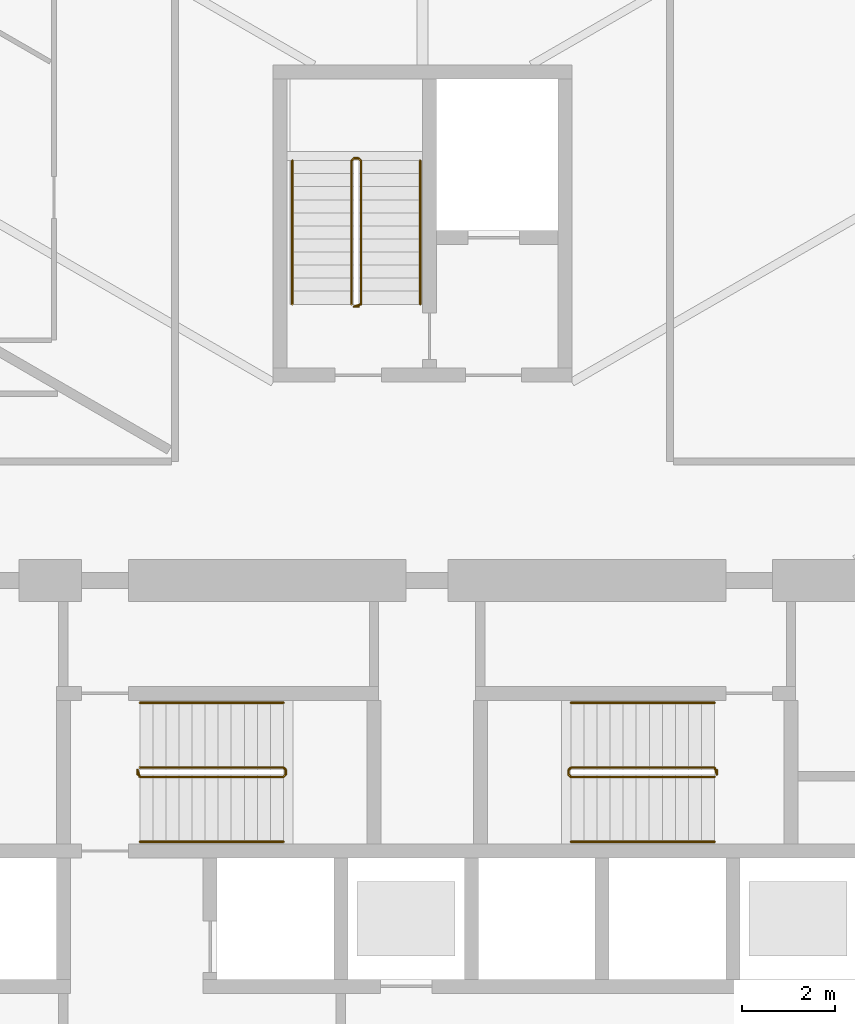
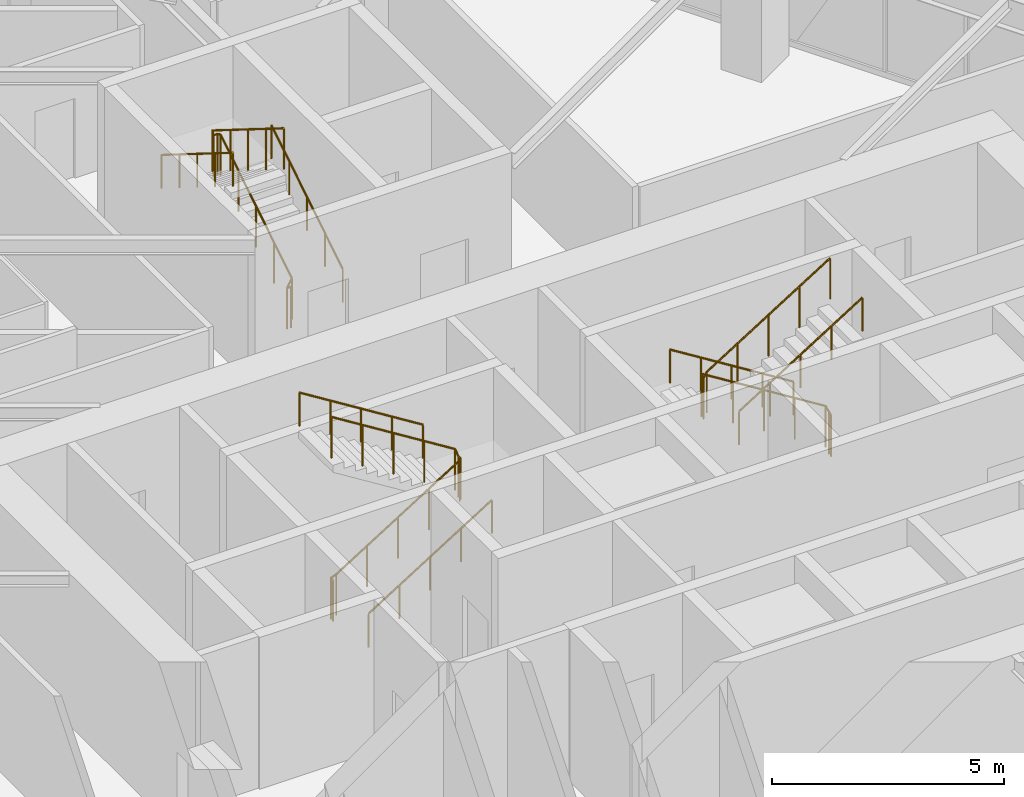
# One storey, part 20 of 21: 9 railings.
"""IFC4 building model written with IfcOpenShell, lengths in metres."""

from ifc_helpers import new_model, si_unit, direction, frame, origin, origin_2d, place, context, subcontext, project, spatial, circle, extrude, material, type_object, element, save


model = new_model("IFC4")

# Units and contexts
model_context = context("Model", 3, precision=1e-05, world=origin(), true_north=direction((0.0, 1.0)))
body_context = subcontext(model_context, "Body", "Model", "MODEL_VIEW")
ifc_project = project(units=[si_unit("LENGTHUNIT", "METRE"), si_unit("AREAUNIT", "SQUARE_METRE"), si_unit("VOLUMEUNIT", "CUBIC_METRE"), si_unit("PLANEANGLEUNIT", "RADIAN"), si_unit("MASSUNIT", "GRAM", prefix="KILO")], contexts=[model_context])

# Site, building, storey
site_placement = place(None, origin())
site = spatial("IfcSite", under=ifc_project, at=site_placement, CompositionType="ELEMENT")
building_placement = place(site_placement, origin())
building = spatial("IfcBuilding", under=site, at=building_placement, Name="Firuza Gate Tower and Library", CompositionType="ELEMENT")
storey_placement = place(building_placement, frame((0.0, 0.0, 73.60009765625)))
storey = spatial("IfcBuildingStorey", under=building, at=storey_placement, Name="L16", CompositionType="ELEMENT", Elevation=73.60009765625)

# Railings
ifc_material_1 = material(Name="Steel S355", Category="steel")
railing_type_1 = type_object("IfcRailingType", Name="Stair guard 1100", PredefinedType="GUARDRAIL", material=ifc_material_1)
railing_1_placement = place(storey_placement, frame((68.889892578125, 79.389892578125, 0.0)))
element("IfcRailing", 1, at=railing_1_placement, inside=storey, type_object=railing_type_1, Name="L16 ST1 stair guard 1", PredefinedType="GUARDRAIL", context=body_context, shape_type="SweptSolid", body=[
    extrude(circle(Radius=0.02392578125, at=origin_2d()), frame((0.0, 0.0, 1.076171875), z_axis=(0.0, 1.0, 0.0), x_axis=(-1.0, 0.0, 0.0)), (0.0, 0.0, 1.0), 0.10009765625),
    extrude(circle(Radius=0.02392578125, at=origin_2d()), frame((0.0, 0.10009765625, 1.076171875), z_axis=(0.212383695785, -0.636115069328, 0.741788908207), x_axis=(0.948528701346, 0.316691178788, 0.0)), (0.0, 0.0, 1.0), 0.235595703125),
    extrude(circle(Radius=0.02392578125, at=origin_2d()), frame((0.050048828125, -0.0498046875, 1.2509765625), z_axis=(0.847998304005, 0.0, 0.529998940003), x_axis=(0.0, 1.0, 0.0)), (0.0, 0.0, 1.0), 3.632080078125),
    extrude(circle(Radius=0.02392578125, at=origin_2d()), frame((3.130126953125, -0.0498046875, 3.17578125), z_axis=(0.708833529934, 0.705375805398, 0.0), x_axis=(-0.705375805398, 0.708833529934, 0.0)), (0.0, 0.0, 1.0), 0.070556640625),
    extrude(circle(Radius=0.02392578125, at=origin_2d()), frame((3.18017578125, 0.0, 3.17578125), z_axis=(0.0, 1.0, 0.0), x_axis=(-1.0, 0.0, 0.0)), (0.0, 0.0, 1.0), 0.10009765625),
    extrude(circle(Radius=0.02392578125, at=origin_2d()), frame((3.18017578125, 0.10009765625, 3.17578125), z_axis=(-0.265065253269, 0.265065253269, 0.927081885822), x_axis=(-0.707106781187, -0.707106781187, 0.0)), (0.0, 0.0, 1.0), 0.188720703125),
    extrude(circle(Radius=0.02392578125, at=origin_2d()), frame((3.130126953125, 0.150146484375, 3.35107421875), z_axis=(-0.847998304005, 0.0, 0.529998940003), x_axis=(0.0, -1.0, 0.0)), (0.0, 0.0, 1.0), 3.632080078125),
    extrude(circle(Radius=0.02099609375, at=origin_2d()), origin(), (0.0, 0.0, 1.0), 1.052001953125),
    extrude(circle(Radius=0.02099609375, at=origin_2d()), frame((0.0, 0.10009765625, 0.0)), (0.0, 0.0, 1.0), 1.052001953125),
    extrude(circle(Radius=0.02099609375, at=origin_2d()), frame((0.050048828125, -0.0498046875, 0.1748046875)), (0.0, 0.0, 1.0), 1.052001953125),
    extrude(circle(Radius=0.02099609375, at=origin_2d()), frame((0.820068359375, -0.0498046875, 0.656005859375)), (0.0, 0.0, 1.0), 1.052001953125),
    extrude(circle(Radius=0.02099609375, at=origin_2d()), frame((1.590087890625, -0.0498046875, 1.13720703125)), (0.0, 0.0, 1.0), 1.052001953125),
    extrude(circle(Radius=0.02099609375, at=origin_2d()), frame((2.360107421875, -0.0498046875, 1.61865234375)), (0.0, 0.0, 1.0), 1.052001953125),
    extrude(circle(Radius=0.02099609375, at=origin_2d()), frame((3.130126953125, -0.0498046875, 2.099853515625)), (0.0, 0.0, 1.0), 1.052001953125),
    extrude(circle(Radius=0.02099609375, at=origin_2d()), frame((3.18017578125, 0.0, 2.099853515625)), (0.0, 0.0, 1.0), 1.052001953125),
    extrude(circle(Radius=0.02099609375, at=origin_2d()), frame((3.18017578125, 0.10009765625, 2.099853515625)), (0.0, 0.0, 1.0), 1.052001953125),
    extrude(circle(Radius=0.02099609375, at=origin_2d()), frame((3.130126953125, 0.150146484375, 2.27490234375)), (0.0, 0.0, 1.0), 1.052001953125),
    extrude(circle(Radius=0.02099609375, at=origin_2d()), frame((2.360107421875, 0.150146484375, 2.756103515625)), (0.0, 0.0, 1.0), 1.052001953125),
    extrude(circle(Radius=0.02099609375, at=origin_2d()), frame((1.590087890625, 0.150146484375, 3.2373046875)), (0.0, 0.0, 1.0), 1.052001953125),
    extrude(circle(Radius=0.02099609375, at=origin_2d()), frame((0.820068359375, 0.150146484375, 3.71875)), (0.0, 0.0, 1.0), 1.052001953125),
    extrude(circle(Radius=0.02099609375, at=origin_2d()), frame((0.050048828125, 0.150146484375, 4.199951171875)), (0.0, 0.0, 1.0), 1.052001953125),
])
railing_2_placement = place(storey_placement, frame((81.31005859375, 79.489990234375, 0.0)))
element("IfcRailing", 2, at=railing_2_placement, inside=storey, type_object=railing_type_1, Name="L16 ST2 stair guard 1", PredefinedType="GUARDRAIL", context=body_context, shape_type="SweptSolid", body=[
    extrude(circle(Radius=0.02392578125, at=origin_2d()), frame((0.0, 0.0, 1.076171875), z_axis=(0.0, -1.0, 0.0), x_axis=(1.0, 0.0, 0.0)), (0.0, 0.0, 1.0), 0.10009765625),
    extrude(circle(Radius=0.02392578125, at=origin_2d()), frame((0.0, -0.10009765625, 1.076171875), z_axis=(-0.21224375372, 0.63673126116, 0.741300134944), x_axis=(-0.948683298051, -0.316227766017, 0.0)), (0.0, 0.0, 1.0), 0.23583984375),
    extrude(circle(Radius=0.02392578125, at=origin_2d()), frame((-0.050048828125, 0.050048828125, 1.2509765625), z_axis=(-0.847998304005, 0.0, 0.529998940003), x_axis=(0.0, -1.0, 0.0)), (0.0, 0.0, 1.0), 3.632080078125),
    extrude(circle(Radius=0.02392578125, at=origin_2d()), frame((-3.130126953125, 0.050048828125, 3.17578125), z_axis=(-0.707106781187, -0.707106781187, 0.0), x_axis=(0.707106781187, -0.707106781187, 0.0)), (0.0, 0.0, 1.0), 0.07080078125),
    extrude(circle(Radius=0.02392578125, at=origin_2d()), frame((-3.18017578125, 0.0, 3.17578125), z_axis=(0.0, -1.0, 0.0), x_axis=(1.0, 0.0, 0.0)), (0.0, 0.0, 1.0), 0.10009765625),
    extrude(circle(Radius=0.02392578125, at=origin_2d()), frame((-3.18017578125, -0.10009765625, 3.17578125), z_axis=(0.265155923931, -0.263862480399, 0.927399011991), x_axis=(0.705375805398, 0.708833529934, 0.0)), (0.0, 0.0, 1.0), 0.188720703125),
    extrude(circle(Radius=0.02392578125, at=origin_2d()), frame((-3.130126953125, -0.14990234375, 3.35107421875), z_axis=(0.847998304005, 0.0, 0.529998940003), x_axis=(0.0, 1.0, 0.0)), (0.0, 0.0, 1.0), 3.632080078125),
    extrude(circle(Radius=0.02099609375, at=origin_2d()), origin(), (0.0, 0.0, 1.0), 1.052001953125),
    extrude(circle(Radius=0.02099609375, at=origin_2d()), frame((0.0, -0.10009765625, 0.0)), (0.0, 0.0, 1.0), 1.052001953125),
    extrude(circle(Radius=0.02099609375, at=origin_2d()), frame((-0.050048828125, 0.050048828125, 0.1748046875)), (0.0, 0.0, 1.0), 1.052001953125),
    extrude(circle(Radius=0.02099609375, at=origin_2d()), frame((-0.820068359375, 0.050048828125, 0.656005859375)), (0.0, 0.0, 1.0), 1.052001953125),
    extrude(circle(Radius=0.02099609375, at=origin_2d()), frame((-1.590087890625, 0.050048828125, 1.13720703125)), (0.0, 0.0, 1.0), 1.052001953125),
    extrude(circle(Radius=0.02099609375, at=origin_2d()), frame((-2.360107421875, 0.050048828125, 1.61865234375)), (0.0, 0.0, 1.0), 1.052001953125),
    extrude(circle(Radius=0.02099609375, at=origin_2d()), frame((-3.130126953125, 0.050048828125, 2.099853515625)), (0.0, 0.0, 1.0), 1.052001953125),
    extrude(circle(Radius=0.02099609375, at=origin_2d()), frame((-3.18017578125, 0.0, 2.099853515625)), (0.0, 0.0, 1.0), 1.052001953125),
    extrude(circle(Radius=0.02099609375, at=origin_2d()), frame((-3.18017578125, -0.10009765625, 2.099853515625)), (0.0, 0.0, 1.0), 1.052001953125),
    extrude(circle(Radius=0.02099609375, at=origin_2d()), frame((-3.130126953125, -0.14990234375, 2.27490234375)), (0.0, 0.0, 1.0), 1.052001953125),
    extrude(circle(Radius=0.02099609375, at=origin_2d()), frame((-2.360107421875, -0.14990234375, 2.756103515625)), (0.0, 0.0, 1.0), 1.052001953125),
    extrude(circle(Radius=0.02099609375, at=origin_2d()), frame((-1.590087890625, -0.14990234375, 3.2373046875)), (0.0, 0.0, 1.0), 1.052001953125),
    extrude(circle(Radius=0.02099609375, at=origin_2d()), frame((-0.820068359375, -0.14990234375, 3.71875)), (0.0, 0.0, 1.0), 1.052001953125),
    extrude(circle(Radius=0.02099609375, at=origin_2d()), frame((-0.050048828125, -0.14990234375, 4.199951171875)), (0.0, 0.0, 1.0), 1.052001953125),
])
railing_3_placement = place(storey_placement, frame((73.6298828125, 89.419921875, 0.0)))
element("IfcRailing", 3, at=railing_3_placement, inside=storey, type_object=railing_type_1, Name="L16 ST3 stair guard 1", PredefinedType="GUARDRAIL", context=body_context, shape_type="SweptSolid", body=[
    extrude(circle(Radius=0.02392578125, at=origin_2d()), frame((0.0, 0.0, 1.076171875), z_axis=(-1.0, 0.0, 0.0), x_axis=(0.0, -1.0, 0.0)), (0.0, 0.0, 1.0), 0.099853515625),
    extrude(circle(Radius=0.02392578125, at=origin_2d()), frame((-0.099853515625, 0.0, 1.076171875), z_axis=(0.636115069328, 0.212383695785, 0.741788908207), x_axis=(-0.316691178788, 0.948528701346, 0.0)), (0.0, 0.0, 1.0), 0.235595703125),
    extrude(circle(Radius=0.02392578125, at=origin_2d()), frame((0.050048828125, 0.050048828125, 1.2509765625), z_axis=(0.0, 0.847998304005, 0.529998940003), x_axis=(-1.0, 0.0, 0.0)), (0.0, 0.0, 1.0), 3.632080078125),
    extrude(circle(Radius=0.02392578125, at=origin_2d()), frame((0.050048828125, 3.130126953125, 3.17578125), z_axis=(-0.707106781187, 0.707106781187, 0.0), x_axis=(-0.707106781187, -0.707106781187, 0.0)), (0.0, 0.0, 1.0), 0.07080078125),
    extrude(circle(Radius=0.02392578125, at=origin_2d()), frame((0.0, 3.18017578125, 3.17578125), z_axis=(-1.0, 0.0, 0.0), x_axis=(0.0, -1.0, 0.0)), (0.0, 0.0, 1.0), 0.099853515625),
    extrude(circle(Radius=0.02392578125, at=origin_2d()), frame((-0.099853515625, 3.18017578125, 3.17578125), z_axis=(-0.265065253269, -0.265065253269, 0.927081885822), x_axis=(0.707106781187, -0.707106781187, 0.0)), (0.0, 0.0, 1.0), 0.188720703125),
    extrude(circle(Radius=0.02392578125, at=origin_2d()), frame((-0.14990234375, 3.130126953125, 3.35107421875), z_axis=(0.0, -0.847998304005, 0.529998940003), x_axis=(1.0, 0.0, 0.0)), (0.0, 0.0, 1.0), 3.632080078125),
    extrude(circle(Radius=0.02099609375, at=origin_2d()), origin(), (0.0, 0.0, 1.0), 1.052001953125),
    extrude(circle(Radius=0.02099609375, at=origin_2d()), frame((-0.099853515625, 0.0, 0.0)), (0.0, 0.0, 1.0), 1.052001953125),
    extrude(circle(Radius=0.02099609375, at=origin_2d()), frame((0.050048828125, 0.050048828125, 0.1748046875)), (0.0, 0.0, 1.0), 1.052001953125),
    extrude(circle(Radius=0.02099609375, at=origin_2d()), frame((0.050048828125, 0.820068359375, 0.656005859375)), (0.0, 0.0, 1.0), 1.052001953125),
    extrude(circle(Radius=0.02099609375, at=origin_2d()), frame((0.050048828125, 1.590087890625, 1.13720703125)), (0.0, 0.0, 1.0), 1.052001953125),
    extrude(circle(Radius=0.02099609375, at=origin_2d()), frame((0.050048828125, 2.360107421875, 1.61865234375)), (0.0, 0.0, 1.0), 1.052001953125),
    extrude(circle(Radius=0.02099609375, at=origin_2d()), frame((0.050048828125, 3.130126953125, 2.099853515625)), (0.0, 0.0, 1.0), 1.052001953125),
    extrude(circle(Radius=0.02099609375, at=origin_2d()), frame((0.0, 3.18017578125, 2.099853515625)), (0.0, 0.0, 1.0), 1.052001953125),
    extrude(circle(Radius=0.02099609375, at=origin_2d()), frame((-0.099853515625, 3.18017578125, 2.099853515625)), (0.0, 0.0, 1.0), 1.052001953125),
    extrude(circle(Radius=0.02099609375, at=origin_2d()), frame((-0.14990234375, 3.130126953125, 2.27490234375)), (0.0, 0.0, 1.0), 1.052001953125),
    extrude(circle(Radius=0.02099609375, at=origin_2d()), frame((-0.14990234375, 2.360107421875, 2.756103515625)), (0.0, 0.0, 1.0), 1.052001953125),
    extrude(circle(Radius=0.02099609375, at=origin_2d()), frame((-0.14990234375, 1.590087890625, 3.2373046875)), (0.0, 0.0, 1.0), 1.052001953125),
    extrude(circle(Radius=0.02099609375, at=origin_2d()), frame((-0.14990234375, 0.820068359375, 3.71875)), (0.0, 0.0, 1.0), 1.052001953125),
    extrude(circle(Radius=0.02099609375, at=origin_2d()), frame((-0.14990234375, 0.050048828125, 4.199951171875)), (0.0, 0.0, 1.0), 1.052001953125),
])
ifc_material_2 = material(Name="Steel S355", Category="steel")
railing_type_2 = type_object("IfcRailingType", Name="Stair handrail 900", PredefinedType="HANDRAIL", material=ifc_material_2)
railing_4_placement = place(storey_placement, frame((68.93994140625, 77.949951171875, 0.1748046875)))
element("IfcRailing", 4, at=railing_4_placement, inside=storey, type_object=railing_type_2, Name="L16 ST1 stair handrail 1", PredefinedType="HANDRAIL", context=body_context, shape_type="SweptSolid", body=[
    extrude(circle(Radius=0.02392578125, at=origin_2d()), frame((0.0, 0.0, 0.8759765625), z_axis=(0.847998304005, 0.0, 0.529998940003), x_axis=(0.0, 1.0, 0.0)), (0.0, 0.0, 1.0), 3.632080078125),
    extrude(circle(Radius=0.02099609375, at=origin_2d()), origin(), (0.0, 0.0, 1.0), 0.851806640625),
    extrude(circle(Radius=0.02099609375, at=origin_2d()), frame((0.77001953125, 0.0, 0.481201171875)), (0.0, 0.0, 1.0), 0.851806640625),
    extrude(circle(Radius=0.02099609375, at=origin_2d()), frame((1.5400390625, 0.0, 0.96240234375)), (0.0, 0.0, 1.0), 0.851806640625),
    extrude(circle(Radius=0.02099609375, at=origin_2d()), frame((2.31005859375, 0.0, 1.44384765625)), (0.0, 0.0, 1.0), 0.851806640625),
    extrude(circle(Radius=0.02099609375, at=origin_2d()), frame((3.080078125, 0.0, 1.925048828125)), (0.0, 0.0, 1.0), 0.851806640625),
])
for number, where, name in (
    (5, (72.02001953125, 80.929931640625, 2.27490234375), "L16 ST1 stair handrail 2"),
    (6, (81.260009765625, 80.929931640625, 0.1748046875), "L16 ST2 stair handrail 1"),
):
    element("IfcRailing", number, at=place(storey_placement, frame(where)), inside=storey, type_object=railing_type_2, Name=name, PredefinedType="HANDRAIL", context=body_context, shape_type="SweptSolid", body=[
        extrude(circle(Radius=0.02392578125, at=origin_2d()), frame((0.0, 0.0, 0.8759765625), z_axis=(-0.847998304005, 0.0, 0.529998940003), x_axis=(0.0, -1.0, 0.0)), (0.0, 0.0, 1.0), 3.632080078125),
        extrude(circle(Radius=0.02099609375, at=origin_2d()), origin(), (0.0, 0.0, 1.0), 0.851806640625),
        extrude(circle(Radius=0.02099609375, at=origin_2d()), frame((-0.77001953125, 0.0, 0.481201171875)), (0.0, 0.0, 1.0), 0.851806640625),
        extrude(circle(Radius=0.02099609375, at=origin_2d()), frame((-1.5400390625, 0.0, 0.96240234375)), (0.0, 0.0, 1.0), 0.851806640625),
        extrude(circle(Radius=0.02099609375, at=origin_2d()), frame((-2.31005859375, 0.0, 1.44384765625)), (0.0, 0.0, 1.0), 0.851806640625),
        extrude(circle(Radius=0.02099609375, at=origin_2d()), frame((-3.080078125, 0.0, 1.925048828125)), (0.0, 0.0, 1.0), 0.851806640625),
    ])
railing_5_placement = place(storey_placement, frame((78.179931640625, 77.949951171875, 2.27490234375)))
element("IfcRailing", 7, at=railing_5_placement, inside=storey, type_object=railing_type_2, Name="L16 ST2 stair handrail 2", PredefinedType="HANDRAIL", context=body_context, shape_type="SweptSolid", body=[
    extrude(circle(Radius=0.02392578125, at=origin_2d()), frame((0.0, 0.0, 0.8759765625), z_axis=(0.847998304005, 0.0, 0.529998940003), x_axis=(0.0, 1.0, 0.0)), (0.0, 0.0, 1.0), 3.632080078125),
    extrude(circle(Radius=0.02099609375, at=origin_2d()), origin(), (0.0, 0.0, 1.0), 0.851806640625),
    extrude(circle(Radius=0.02099609375, at=origin_2d()), frame((0.77001953125, 0.0, 0.481201171875)), (0.0, 0.0, 1.0), 0.851806640625),
    extrude(circle(Radius=0.02099609375, at=origin_2d()), frame((1.5400390625, 0.0, 0.96240234375)), (0.0, 0.0, 1.0), 0.851806640625),
    extrude(circle(Radius=0.02099609375, at=origin_2d()), frame((2.31005859375, 0.0, 1.44384765625)), (0.0, 0.0, 1.0), 0.851806640625),
    extrude(circle(Radius=0.02099609375, at=origin_2d()), frame((3.080078125, 0.0, 1.925048828125)), (0.0, 0.0, 1.0), 0.851806640625),
])
railing_6_placement = place(storey_placement, frame((74.949951171875, 89.469970703125, 0.1748046875)))
element("IfcRailing", 8, at=railing_6_placement, inside=storey, type_object=railing_type_2, Name="L16 ST3 stair handrail 1", PredefinedType="HANDRAIL", context=body_context, shape_type="SweptSolid", body=[
    extrude(circle(Radius=0.02392578125, at=origin_2d()), frame((0.0, 0.0, 0.8759765625), z_axis=(0.0, 0.847998304005, 0.529998940003), x_axis=(-1.0, 0.0, 0.0)), (0.0, 0.0, 1.0), 3.632080078125),
    extrude(circle(Radius=0.02099609375, at=origin_2d()), origin(), (0.0, 0.0, 1.0), 0.851806640625),
    extrude(circle(Radius=0.02099609375, at=origin_2d()), frame((0.0, 0.77001953125, 0.481201171875)), (0.0, 0.0, 1.0), 0.851806640625),
    extrude(circle(Radius=0.02099609375, at=origin_2d()), frame((0.0, 1.5400390625, 0.96240234375)), (0.0, 0.0, 1.0), 0.851806640625),
    extrude(circle(Radius=0.02099609375, at=origin_2d()), frame((0.0, 2.31005859375, 1.44384765625)), (0.0, 0.0, 1.0), 0.851806640625),
    extrude(circle(Radius=0.02099609375, at=origin_2d()), frame((0.0, 3.080078125, 1.925048828125)), (0.0, 0.0, 1.0), 0.851806640625),
])
railing_7_placement = place(storey_placement, frame((72.2099609375, 92.550048828125, 2.27490234375)))
element("IfcRailing", 9, at=railing_7_placement, inside=storey, type_object=railing_type_2, Name="L16 ST3 stair handrail 2", PredefinedType="HANDRAIL", context=body_context, shape_type="SweptSolid", body=[
    extrude(circle(Radius=0.02392578125, at=origin_2d()), frame((0.0, 0.0, 0.8759765625), z_axis=(0.0, -0.847998304005, 0.529998940003), x_axis=(1.0, 0.0, 0.0)), (0.0, 0.0, 1.0), 3.632080078125),
    extrude(circle(Radius=0.02099609375, at=origin_2d()), origin(), (0.0, 0.0, 1.0), 0.851806640625),
    extrude(circle(Radius=0.02099609375, at=origin_2d()), frame((0.0, -0.77001953125, 0.481201171875)), (0.0, 0.0, 1.0), 0.851806640625),
    extrude(circle(Radius=0.02099609375, at=origin_2d()), frame((0.0, -1.5400390625, 0.96240234375)), (0.0, 0.0, 1.0), 0.851806640625),
    extrude(circle(Radius=0.02099609375, at=origin_2d()), frame((0.0, -2.31005859375, 1.44384765625)), (0.0, 0.0, 1.0), 0.851806640625),
    extrude(circle(Radius=0.02099609375, at=origin_2d()), frame((0.0, -3.080078125, 1.925048828125)), (0.0, 0.0, 1.0), 0.851806640625),
])

save(model, "model.ifc")
